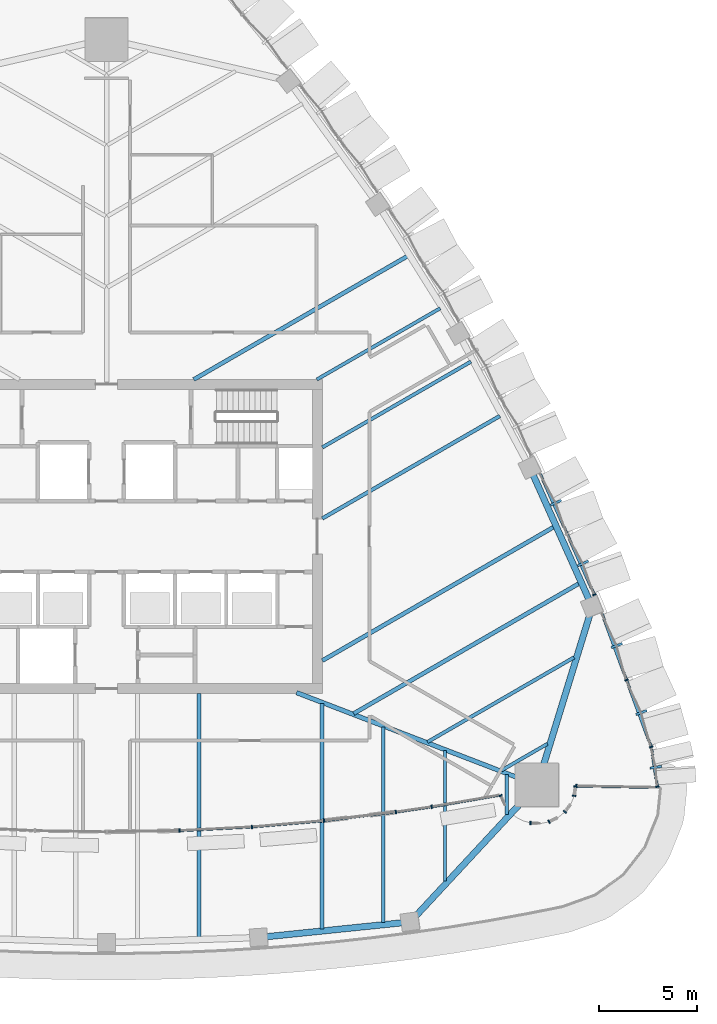
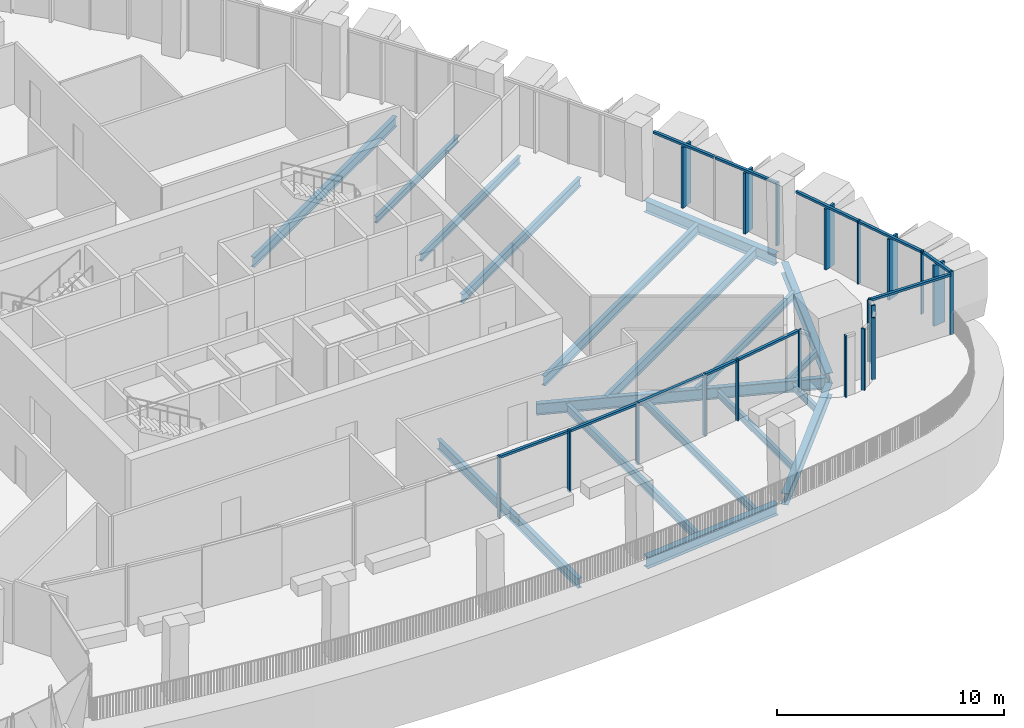
# One storey, part 5 of 22: 32 members, 18 beams, 14 elements without a shape of their own.
"""IFC4 building model written with IfcOpenShell, lengths in metres."""

from ifc_helpers import new_model, si_unit, direction, frame, origin, origin_2d, place, context, subcontext, project, spatial, rectangle, i_section, extrude, material, layer, layer_set, material_profile, profile_set, type_object, element, aggregate, save


model = new_model("IFC4")

# Units and contexts
model_context = context("Model", 3, precision=1e-05, world=origin(), true_north=direction((0.0, 1.0)))
body_context = subcontext(model_context, "Body", "Model", "MODEL_VIEW")
ifc_project = project(units=[si_unit("LENGTHUNIT", "METRE"), si_unit("AREAUNIT", "SQUARE_METRE"), si_unit("VOLUMEUNIT", "CUBIC_METRE"), si_unit("PLANEANGLEUNIT", "RADIAN"), si_unit("MASSUNIT", "GRAM", prefix="KILO")], contexts=[model_context])

# Site, building, storey
site_placement = place(None, origin())
site = spatial("IfcSite", under=ifc_project, at=site_placement, CompositionType="ELEMENT")
building_placement = place(site_placement, origin())
building = spatial("IfcBuilding", under=site, at=building_placement, Name="Sierra Prisma Convention Tower", CompositionType="ELEMENT")
storey_placement = place(building_placement, frame((0.0, 0.0, 243.0)))
storey = spatial("IfcBuildingStorey", under=building, at=storey_placement, Name="L54", CompositionType="ELEMENT", Elevation=243.0)

# Curtain wall, member
ifc_material_1 = material(Name="Aluminium and glass curtain wall", Category="aluminium")
ifc_layer_1 = layer(ifc_material_1, 0.179931640625)
ifc_layer_set_1 = layer_set([ifc_layer_1], Name="CW-2 Faceted crystal curtain wall")
curtain_wall_type_1 = type_object("IfcCurtainWallType", Name="CW-2 Faceted crystal curtain wall", PredefinedType="NOTDEFINED", material=ifc_layer_set_1)
curtain_wall_1_placement = place(storey_placement, origin())
curtain_wall_1 = element("IfcCurtainWall", 1, at=curtain_wall_1_placement, inside=storey, type_object=curtain_wall_type_1, Name="CW-2 SE5 L54", PredefinedType="NOTDEFINED")
ifc_material_2 = material(Name="Aluminium 6063-T6 bronze anodised", Category="aluminium")
ifc_material_profile_1 = material_profile(ifc_material_2, rectangle(XDim=0.1201171875, YDim=0.60009765625, at=origin_2d()), Name="ALU RIDGE BLADE 120x600")
ifc_profile_set_1 = profile_set([ifc_material_profile_1], Name="Aluminium 6063-T6 bronze anodised")
member_type_1 = type_object("IfcMemberType", Name="CW hip bronze", PredefinedType="MULLION", material=ifc_profile_set_1)
member_1_placement = place(storey_placement, frame((27.998779296875, -11.762451171875, 0.0), z_axis=(0.0, 0.0, 1.0), x_axis=(-0.14970545889, 0.988730638535, 0.0)))
member_1 = element("IfcMember", 2, at=member_1_placement, type_object=member_type_1, Name="CW-2 ridge SE5.1", PredefinedType="MULLION", context=body_context, shape_type="SweptSolid", body=[
    extrude(rectangle(XDim=0.1201171875, YDim=0.60009765625, at=origin_2d()), origin(), (0.0, 0.0, 1.0), 3.280029296875),
])

# Curtain wall, members
curtain_wall_2_placement = place(storey_placement, origin())
curtain_wall_2 = element("IfcCurtainWall", 3, at=curtain_wall_2_placement, inside=storey, type_object=curtain_wall_type_1, Name="CW-2 NE1 L54", PredefinedType="NOTDEFINED")
member_2_placement = place(storey_placement, frame((27.262451171875, -8.972900390625, 0.0), z_axis=(0.0, 0.0, 1.0), x_axis=(-0.345602876726, 0.938380867025, 0.0)))
member_2 = element("IfcMember", 4, at=member_2_placement, type_object=member_type_1, Name="CW-2 ridge NE1.1", PredefinedType="MULLION", context=body_context, shape_type="SweptSolid", body=[
    extrude(rectangle(XDim=0.1201171875, YDim=0.60009765625, at=origin_2d()), origin(), (0.0, 0.0, 1.0), 3.280029296875),
])
member_3_placement = place(storey_placement, frame((26.006591796875, -5.563232421875, 0.0), z_axis=(0.0, 0.0, 1.0), x_axis=(-0.345602876726, 0.938380867025, 0.0)))
member_3 = element("IfcMember", 5, at=member_3_placement, type_object=member_type_1, Name="CW-2 ridge NE1.2", PredefinedType="MULLION", context=body_context, shape_type="SweptSolid", body=[
    extrude(rectangle(XDim=0.1201171875, YDim=0.60009765625, at=origin_2d()), origin(), (0.0, 0.0, 1.0), 3.280029296875),
])

curtain_wall_3_placement = place(storey_placement, origin())
curtain_wall_3 = element("IfcCurtainWall", 6, at=curtain_wall_3_placement, inside=storey, type_object=curtain_wall_type_1, Name="CW-2 NE2 L54", PredefinedType="NOTDEFINED")
member_4_placement = place(storey_placement, frame((24.2900390625, -1.370361328125, 0.0), z_axis=(0.0, 0.0, 1.0), x_axis=(-0.408826858445, 0.912611965632, 0.0)))
member_4 = element("IfcMember", 7, at=member_4_placement, type_object=member_type_1, Name="CW-2 ridge NE2.1", PredefinedType="MULLION", context=body_context, shape_type="SweptSolid", body=[
    extrude(rectangle(XDim=0.1201171875, YDim=0.60009765625, at=origin_2d()), origin(), (0.0, 0.0, 1.0), 3.280029296875),
])
member_5_placement = place(storey_placement, frame((22.905517578125, 1.720458984375, 0.0), z_axis=(0.0, 0.0, 1.0), x_axis=(-0.408826858445, 0.912611965632, 0.0)))
member_5 = element("IfcMember", 8, at=member_5_placement, type_object=member_type_1, Name="CW-2 ridge NE2.2", PredefinedType="MULLION", context=body_context, shape_type="SweptSolid", body=[
    extrude(rectangle(XDim=0.1201171875, YDim=0.60009765625, at=origin_2d()), origin(), (0.0, 0.0, 1.0), 3.280029296875),
])

# Member
ifc_material_3 = material(Name="Aluminium 6063-T6 bronze anodised", Category="aluminium")
ifc_material_profile_2 = material_profile(ifc_material_3, rectangle(XDim=0.179931640625, YDim=0.070068359375, at=origin_2d()), Name="ALU MULLION 70x180")
ifc_profile_set_2 = profile_set([ifc_material_profile_2], Name="Aluminium 6063-T6 bronze anodised")
member_type_2 = type_object("IfcMemberType", Name="CW mullion bronze", PredefinedType="MULLION", material=ifc_profile_set_2)
member_6_placement = place(storey_placement, frame((28.07275390625, -12.754150390625, 0.0), z_axis=(0.0, 0.0, 1.0), x_axis=(-0.988730638535, -0.14970545889, 0.0)))
member_6 = element("IfcMember", 9, at=member_6_placement, type_object=member_type_2, Name="CW-1 mullion SE5.1", PredefinedType="MULLION", context=body_context, shape_type="SweptSolid", body=[
    extrude(rectangle(XDim=0.179931640625, YDim=0.070068359375, at=origin_2d()), origin(), (0.0, 0.0, 1.0), 3.39990234375),
])

member_7_placement = place(storey_placement, frame((27.758544921875, -10.72607421875, 0.0), z_axis=(0.0, 0.0, 1.0), x_axis=(-0.938380867025, -0.345602876726, 0.0)))
member_7 = element("IfcMember", 10, at=member_7_placement, type_object=member_type_2, Name="CW-1 mullion NE1.1", PredefinedType="MULLION", context=body_context, shape_type="SweptSolid", body=[
    extrude(rectangle(XDim=0.179931640625, YDim=0.070068359375, at=origin_2d()), origin(), (0.0, 0.0, 1.0), 3.39990234375),
])

member_8_placement = place(storey_placement, frame((26.5029296875, -7.31640625, 0.0), z_axis=(0.0, 0.0, 1.0), x_axis=(-0.938380867025, -0.345602876726, 0.0)))
member_8 = element("IfcMember", 11, at=member_8_placement, type_object=member_type_2, Name="CW-1 mullion NE1.2", PredefinedType="MULLION", context=body_context, shape_type="SweptSolid", body=[
    extrude(rectangle(XDim=0.179931640625, YDim=0.070068359375, at=origin_2d()), origin(), (0.0, 0.0, 1.0), 3.39990234375),
])

member_9_placement = place(storey_placement, frame((24.86328125, -2.968994140625, 0.0), z_axis=(0.0, 0.0, 1.0), x_axis=(-0.912611965632, -0.408826858445, 0.0)))
member_9 = element("IfcMember", 12, at=member_9_placement, type_object=member_type_2, Name="CW-1 mullion NE2.1", PredefinedType="MULLION", context=body_context, shape_type="SweptSolid", body=[
    extrude(rectangle(XDim=0.179931640625, YDim=0.070068359375, at=origin_2d()), origin(), (0.0, 0.0, 1.0), 3.39990234375),
])

# Curtain wall, member
ifc_material_4 = material(Name="Aluminium and glass curtain wall", Category="aluminium")
ifc_layer_2 = layer(ifc_material_4, 0.179931640625)
ifc_layer_set_2 = layer_set([ifc_layer_2], Name="CW-6 Terrace recess curtain wall")
curtain_wall_type_2 = type_object("IfcCurtainWallType", Name="CW-6 Terrace recess curtain wall", PredefinedType="NOTDEFINED", material=ifc_layer_set_2)
curtain_wall_4_placement = place(storey_placement, origin())
curtain_wall_4 = element("IfcCurtainWall", 13, at=curtain_wall_4_placement, inside=storey, type_object=curtain_wall_type_2, Name="CW-6 R7 L54", PredefinedType="NOTDEFINED")
member_10_placement = place(storey_placement, frame((3.7236328125, -14.99072265625, 0.0), z_axis=(0.0, 0.0, 1.0), x_axis=(-0.051192893759, 0.998688784171, 0.0)))
member_10 = element("IfcMember", 14, at=member_10_placement, type_object=member_type_2, Name="CW-6 mullion R7.1", PredefinedType="MULLION", context=body_context, shape_type="SweptSolid", body=[
    extrude(rectangle(XDim=0.179931640625, YDim=0.070068359375, at=origin_2d()), origin(), (0.0, 0.0, 1.0), 3.340087890625),
])

curtain_wall_5_placement = place(storey_placement, origin())
curtain_wall_5 = element("IfcCurtainWall", 15, at=curtain_wall_5_placement, inside=storey, type_object=curtain_wall_type_2, Name="CW-6 R8 L54", PredefinedType="NOTDEFINED")
member_11_placement = place(storey_placement, frame((7.407958984375, -14.800537109375, 0.0), z_axis=(0.0, 0.0, 1.0), x_axis=(-0.08525518274, 0.99635914901, 0.0)))
member_11 = element("IfcMember", 16, at=member_11_placement, type_object=member_type_2, Name="CW-6 mullion R8.1", PredefinedType="MULLION", context=body_context, shape_type="SweptSolid", body=[
    extrude(rectangle(XDim=0.179931640625, YDim=0.070068359375, at=origin_2d()), origin(), (0.0, 0.0, 1.0), 3.340087890625),
])

curtain_wall_6_placement = place(storey_placement, origin())
curtain_wall_6 = element("IfcCurtainWall", 17, at=curtain_wall_6_placement, inside=storey, type_object=curtain_wall_type_2, Name="CW-6 R9 L54", PredefinedType="NOTDEFINED")
member_12_placement = place(storey_placement, frame((11.083740234375, -14.48486328125, 0.0), z_axis=(0.0, 0.0, 1.0), x_axis=(-0.119218092591, 0.992868091138, 0.0)))
member_12 = element("IfcMember", 18, at=member_12_placement, type_object=member_type_2, Name="CW-6 mullion R9.1", PredefinedType="MULLION", context=body_context, shape_type="SweptSolid", body=[
    extrude(rectangle(XDim=0.179931640625, YDim=0.070068359375, at=origin_2d()), origin(), (0.0, 0.0, 1.0), 3.340087890625),
])

curtain_wall_7_placement = place(storey_placement, origin())
curtain_wall_7 = element("IfcCurtainWall", 19, at=curtain_wall_7_placement, inside=storey, type_object=curtain_wall_type_2, Name="CW-6 R10 L54", PredefinedType="NOTDEFINED")
member_13_placement = place(storey_placement, frame((14.74658203125, -14.044189453125, 0.0), z_axis=(0.0, 0.0, 1.0), x_axis=(-0.144601236248, 0.989490011307, 0.0)))
member_13 = element("IfcMember", 20, at=member_13_placement, type_object=member_type_2, Name="CW-6 mullion R10.1", PredefinedType="MULLION", context=body_context, shape_type="SweptSolid", body=[
    extrude(rectangle(XDim=0.179931640625, YDim=0.070068359375, at=origin_2d()), origin(), (0.0, 0.0, 1.0), 3.340087890625),
])

curtain_wall_8_placement = place(storey_placement, origin())
curtain_wall_8 = element("IfcCurtainWall", 21, at=curtain_wall_8_placement, inside=storey, type_object=curtain_wall_type_2, Name="CW-6 R11 L54", PredefinedType="NOTDEFINED")
member_14_placement = place(storey_placement, frame((16.57177734375, -13.776611328125, 0.0), z_axis=(0.0, 0.0, 1.0), x_axis=(-0.169640466325, 0.98550601834, 0.0)))
member_14 = element("IfcMember", 22, at=member_14_placement, type_object=member_type_2, Name="CW-6 mullion R11.1", PredefinedType="MULLION", context=body_context, shape_type="SweptSolid", body=[
    extrude(rectangle(XDim=0.179931640625, YDim=0.070068359375, at=origin_2d()), origin(), (0.0, 0.0, 1.0), 3.340087890625),
])

curtain_wall_9_placement = place(storey_placement, origin())
curtain_wall_9 = element("IfcCurtainWall", 23, at=curtain_wall_9_placement, inside=storey, type_object=curtain_wall_type_2, Name="CW-6 R12 L54", PredefinedType="NOTDEFINED")
member_15_placement = place(storey_placement, frame((20.0830078125, -13.20654296875, 0.0), z_axis=(0.0, 0.0, 1.0), x_axis=(0.913138288958, 0.407649929766, 0.0)))
member_15 = element("IfcMember", 24, at=member_15_placement, type_object=member_type_2, Name="CW-6 mullion R12.1", PredefinedType="MULLION", context=body_context, shape_type="SweptSolid", body=[
    extrude(rectangle(XDim=0.179931640625, YDim=0.070068359375, at=origin_2d()), origin(), (0.0, 0.0, 1.0), 3.340087890625),
])
aggregate(curtain_wall_9, [member_15])

curtain_wall_10_placement = place(storey_placement, origin())
curtain_wall_10 = element("IfcCurtainWall", 25, at=curtain_wall_10_placement, inside=storey, type_object=curtain_wall_type_2, Name="CW-6 R17 L54", PredefinedType="NOTDEFINED")
member_16_placement = place(storey_placement, frame((21.611083984375, -14.596923828125, 0.0), z_axis=(0.0, 0.0, 1.0), x_axis=(0.049067674327, 0.998795456205, 0.0)))
member_16 = element("IfcMember", 26, at=member_16_placement, type_object=member_type_2, Name="CW-6 mullion R17.1", PredefinedType="MULLION", context=body_context, shape_type="SweptSolid", body=[
    extrude(rectangle(XDim=0.179931640625, YDim=0.070068359375, at=origin_2d()), origin(), (0.0, 0.0, 1.0), 3.340087890625),
])
aggregate(curtain_wall_10, [member_16])

curtain_wall_11_placement = place(storey_placement, origin())
curtain_wall_11 = element("IfcCurtainWall", 27, at=curtain_wall_11_placement, inside=storey, type_object=curtain_wall_type_2, Name="CW-6 R19 L54", PredefinedType="NOTDEFINED")
member_17_placement = place(storey_placement, frame((22.556884765625, -14.53369140625, 0.0), z_axis=(0.0, 0.0, 1.0), x_axis=(-0.42755509343, 0.903989293123, 0.0)))
member_17 = element("IfcMember", 28, at=member_17_placement, type_object=member_type_2, Name="CW-6 mullion R19.1", PredefinedType="MULLION", context=body_context, shape_type="SweptSolid", body=[
    extrude(rectangle(XDim=0.179931640625, YDim=0.070068359375, at=origin_2d()), origin(), (0.0, 0.0, 1.0), 3.340087890625),
])
aggregate(curtain_wall_11, [member_17])

curtain_wall_12_placement = place(storey_placement, origin())
curtain_wall_12 = element("IfcCurtainWall", 29, at=curtain_wall_12_placement, inside=storey, type_object=curtain_wall_type_2, Name="CW-6 R21 L54", PredefinedType="NOTDEFINED")
member_18_placement = place(storey_placement, frame((23.361328125, -14.031982421875, 0.0), z_axis=(0.0, 0.0, 1.0), x_axis=(-0.803207531481, 0.595699304492, 0.0)))
member_18 = element("IfcMember", 30, at=member_18_placement, type_object=member_type_2, Name="CW-6 mullion R21.1", PredefinedType="MULLION", context=body_context, shape_type="SweptSolid", body=[
    extrude(rectangle(XDim=0.179931640625, YDim=0.070068359375, at=origin_2d()), origin(), (0.0, 0.0, 1.0), 3.340087890625),
])
aggregate(curtain_wall_12, [member_18])

# Curtain wall, members
curtain_wall_13_placement = place(storey_placement, origin())
curtain_wall_13 = element("IfcCurtainWall", 31, at=curtain_wall_13_placement, inside=storey, type_object=curtain_wall_type_2, Name="CW-6 R23 L54", PredefinedType="NOTDEFINED")
member_19_placement = place(storey_placement, frame((23.834228515625, -13.210205078125, 0.0), z_axis=(0.0, 0.0, 1.0), x_axis=(-0.989176509965, 0.146730474455, 0.0)))
member_19 = element("IfcMember", 32, at=member_19_placement, type_object=member_type_2, Name="CW-6 mullion R23.1", PredefinedType="MULLION", context=body_context, shape_type="SweptSolid", body=[
    extrude(rectangle(XDim=0.179931640625, YDim=0.070068359375, at=origin_2d()), origin(), (0.0, 0.0, 1.0), 3.340087890625),
])
member_20_placement = place(storey_placement, frame((23.90283203125, -12.747314453125, 0.0), z_axis=(0.0, 0.0, 1.0), x_axis=(-0.989176509965, 0.146730474455, 0.0)))
member_20 = element("IfcMember", 33, at=member_20_placement, type_object=member_type_2, Name="CW-6 mullion R23.2", PredefinedType="MULLION", context=body_context, shape_type="SweptSolid", body=[
    extrude(rectangle(XDim=0.179931640625, YDim=0.070068359375, at=origin_2d()), origin(), (0.0, 0.0, 1.0), 3.340087890625),
])
aggregate(curtain_wall_13, [member_19, member_20])

# Curtain wall, member
curtain_wall_14_placement = place(storey_placement, origin())
curtain_wall_14 = element("IfcCurtainWall", 34, at=curtain_wall_14_placement, inside=storey, type_object=curtain_wall_type_2, Name="CW-6 RT2 L54", PredefinedType="NOTDEFINED")
member_21_placement = place(storey_placement, frame((23.943115234375, -12.71337890625, 0.0), z_axis=(0.0, 0.0, 1.0), x_axis=(0.018195913791, 0.999834440656, 0.0)))
member_21 = element("IfcMember", 35, at=member_21_placement, type_object=member_type_2, Name="CW-6 mullion RT2.1", PredefinedType="MULLION", context=body_context, shape_type="SweptSolid", body=[
    extrude(rectangle(XDim=0.179931640625, YDim=0.070068359375, at=origin_2d()), origin(), (0.0, 0.0, 1.0), 3.340087890625),
])

# Member
ifc_material_5 = material(Name="Aluminium 6063-T6 bronze anodised", Category="aluminium")
ifc_material_profile_3 = material_profile(ifc_material_5, rectangle(XDim=0.139892578125, YDim=0.1201171875, at=origin_2d()), Name="ALU TRANSOM 120x140")
ifc_profile_set_3 = profile_set([ifc_material_profile_3], Name="Aluminium 6063-T6 bronze anodised")
member_type_3 = type_object("IfcMemberType", Name="CW transom bronze", PredefinedType="USERDEFINED", material=ifc_profile_set_3)
member_22_placement = place(storey_placement, frame((28.067626953125, -12.719482421875, 3.340087890625), z_axis=(-0.149707080293, 0.988730393035, 0.0), x_axis=(-0.988730393035, -0.149707080293, 0.0)))
member_22 = element("IfcMember", 36, at=member_22_placement, type_object=member_type_3, Name="CW-1 transom SE5.1", ObjectType="TRANSOM", PredefinedType="USERDEFINED", context=body_context, shape_type="SweptSolid", body=[
    extrude(rectangle(XDim=0.139892578125, YDim=0.1201171875, at=origin_2d()), origin(), (0.0, 0.0, 1.0), 1.912841796875),
])

aggregate(curtain_wall_1, [member_6, member_22, member_1])

member_23_placement = place(storey_placement, frame((27.74658203125, -10.693359375, 3.340087890625), z_axis=(-0.345629162035, 0.938371185806, 0.0), x_axis=(-0.938371185806, -0.345629162035, 0.0)))
member_23 = element("IfcMember", 37, at=member_23_placement, type_object=member_type_3, Name="CW-1 transom NE1.1", ObjectType="TRANSOM", PredefinedType="USERDEFINED", context=body_context, shape_type="SweptSolid", body=[
    extrude(rectangle(XDim=0.139892578125, YDim=0.1201171875, at=origin_2d()), origin(), (0.0, 0.0, 1.0), 3.563720703125),
])

member_24_placement = place(storey_placement, frame((26.49072265625, -7.28369140625, 3.340087890625), z_axis=(-0.345568834725, 0.938393403891, 0.0), x_axis=(-0.938393403891, -0.345568834725, 0.0)))
member_24 = element("IfcMember", 38, at=member_24_placement, type_object=member_type_3, Name="CW-1 transom NE1.2", ObjectType="TRANSOM", PredefinedType="USERDEFINED", context=body_context, shape_type="SweptSolid", body=[
    extrude(rectangle(XDim=0.139892578125, YDim=0.1201171875, at=origin_2d()), origin(), (0.0, 0.0, 1.0), 3.5634765625),
])

aggregate(curtain_wall_2, [member_7, member_8, member_23, member_2, member_24, member_3])

member_25_placement = place(storey_placement, frame((24.848876953125, -2.93701171875, 3.340087890625), z_axis=(-0.408827628704, 0.912611620575, 0.0), x_axis=(-0.912611620575, -0.408827628704, 0.0)))
member_25 = element("IfcMember", 39, at=member_25_placement, type_object=member_type_3, Name="CW-1 transom NE2.1", ObjectType="TRANSOM", PredefinedType="USERDEFINED", context=body_context, shape_type="SweptSolid", body=[
    extrude(rectangle(XDim=0.139892578125, YDim=0.1201171875, at=origin_2d()), origin(), (0.0, 0.0, 1.0), 3.316650390625),
])

member_26_placement = place(storey_placement, frame((23.46435546875, 0.153564453125, 3.340087890625), z_axis=(-0.408827628704, 0.912611620575, 0.0), x_axis=(-0.912611620575, -0.408827628704, 0.0)))
member_26 = element("IfcMember", 40, at=member_26_placement, type_object=member_type_3, Name="CW-1 transom NE2.2", ObjectType="TRANSOM", PredefinedType="USERDEFINED", context=body_context, shape_type="SweptSolid", body=[
    extrude(rectangle(XDim=0.139892578125, YDim=0.1201171875, at=origin_2d()), origin(), (0.0, 0.0, 1.0), 3.316650390625),
])

aggregate(curtain_wall_3, [member_9, member_25, member_4, member_26, member_5])

member_27_placement = place(storey_placement, frame((3.758544921875, -14.989013671875, 3.280029296875), z_axis=(0.998686129467, 0.051244656412, 0.0), x_axis=(-0.051244656412, 0.998686129467, 0.0)))
member_27 = element("IfcMember", 41, at=member_27_placement, type_object=member_type_3, Name="CW-6 transom R7.1", ObjectType="TRANSOM", PredefinedType="USERDEFINED", context=body_context, shape_type="SweptSolid", body=[
    extrude(rectangle(XDim=0.139892578125, YDim=0.1201171875, at=origin_2d()), origin(), (0.0, 0.0, 1.0), 3.54931640625),
])

aggregate(curtain_wall_4, [member_10, member_27])

member_28_placement = place(storey_placement, frame((7.44287109375, -14.797607421875, 3.280029296875), z_axis=(0.996361683938, 0.085225552392, 0.0), x_axis=(-0.085225552392, 0.996361683938, 0.0)))
member_28 = element("IfcMember", 42, at=member_28_placement, type_object=member_type_3, Name="CW-6 transom R8.1", ObjectType="TRANSOM", PredefinedType="USERDEFINED", context=body_context, shape_type="SweptSolid", body=[
    extrude(rectangle(XDim=0.139892578125, YDim=0.1201171875, at=origin_2d()), origin(), (0.0, 0.0, 1.0), 3.54931640625),
])

aggregate(curtain_wall_5, [member_11, member_28])

member_29_placement = place(storey_placement, frame((11.11865234375, -14.480712890625, 3.280029296875), z_axis=(0.992869350261, 0.119207605931, 0.0), x_axis=(-0.119207605931, 0.992869350261, 0.0)))
member_29 = element("IfcMember", 43, at=member_29_placement, type_object=member_type_3, Name="CW-6 transom R9.1", ObjectType="TRANSOM", PredefinedType="USERDEFINED", context=body_context, shape_type="SweptSolid", body=[
    extrude(rectangle(XDim=0.139892578125, YDim=0.1201171875, at=origin_2d()), origin(), (0.0, 0.0, 1.0), 3.54931640625),
])

aggregate(curtain_wall_6, [member_12, member_29])

member_30_placement = place(storey_placement, frame((14.78125, -14.0390625, 3.280029296875), z_axis=(0.98950356188, 0.144508480813, 0.0), x_axis=(-0.144508480813, 0.98950356188, 0.0)))
member_30 = element("IfcMember", 44, at=member_30_placement, type_object=member_type_3, Name="CW-6 transom R10.1", ObjectType="TRANSOM", PredefinedType="USERDEFINED", context=body_context, shape_type="SweptSolid", body=[
    extrude(rectangle(XDim=0.139892578125, YDim=0.1201171875, at=origin_2d()), origin(), (0.0, 0.0, 1.0), 1.70458984375),
])

aggregate(curtain_wall_7, [member_13, member_30])

member_31_placement = place(storey_placement, frame((16.6064453125, -13.770751953125, 3.280029296875), z_axis=(0.985500207388, 0.169674220899, 0.0), x_axis=(-0.169674220899, 0.985500207388, 0.0)))
member_31 = element("IfcMember", 45, at=member_31_placement, type_object=member_type_3, Name="CW-6 transom R11.1", ObjectType="TRANSOM", PredefinedType="USERDEFINED", context=body_context, shape_type="SweptSolid", body=[
    extrude(rectangle(XDim=0.139892578125, YDim=0.1201171875, at=origin_2d()), origin(), (0.0, 0.0, 1.0), 3.443115234375),
])

aggregate(curtain_wall_8, [member_14, member_31])

member_32_placement = place(storey_placement, frame((23.97802734375, -12.714111328125, 3.280029296875), z_axis=(0.9998348918, -0.01817110726, 0.0), x_axis=(0.01817110726, 0.9998348918, 0.0)))
member_32 = element("IfcMember", 46, at=member_32_placement, type_object=member_type_3, Name="CW-6 transom RT2.1", ObjectType="TRANSOM", PredefinedType="USERDEFINED", context=body_context, shape_type="SweptSolid", body=[
    extrude(rectangle(XDim=0.139892578125, YDim=0.1201171875, at=origin_2d()), origin(), (0.0, 0.0, 1.0), 4.03076171875),
])

aggregate(curtain_wall_14, [member_21, member_32])

# Beams
ifc_material_6 = material(Name="Steel ASTM A992 Gr 50", Category="steel")
ifc_material_profile_4 = material_profile(ifc_material_6, i_section(OverallWidth=0.172119140625, OverallDepth=0.35791015625, WebThickness=0.0078125, FlangeThickness=0.01318359375, at=origin_2d()), Name="W360x57")
ifc_profile_set_4 = profile_set([ifc_material_profile_4], Name="Steel ASTM A992 Gr 50")
beam_type_1 = type_object("IfcBeamType", Name="Floor joist W360x57", PredefinedType="JOIST", material=ifc_profile_set_4)
beam_1_placement = place(storey_placement, frame((17.25244140625, -17.55224609375, -0.47900390625), z_axis=(0.0, 1.0, 0.0), x_axis=(-1.0, 0.0, 0.0)))
element("IfcBeam", 47, at=beam_1_placement, inside=storey, type_object=beam_type_1, Name="Floor joist L54 S13", PredefinedType="JOIST", context=body_context, shape_type="SweptSolid", body=[
    extrude(i_section(OverallWidth=0.172119140625, OverallDepth=0.35791015625, WebThickness=0.0078125, FlangeThickness=0.01318359375, at=origin_2d()), origin(), (0.0, 0.0, 1.0), 6.635986328125),
])
beam_2_placement = place(storey_placement, frame((20.38916015625, -14.176513671875, -0.47900390625), z_axis=(0.0, 1.0, 0.0), x_axis=(-1.0, 0.0, 0.0)))
element("IfcBeam", 48, at=beam_2_placement, inside=storey, type_object=beam_type_1, Name="Floor joist L54 S14", PredefinedType="JOIST", context=body_context, shape_type="SweptSolid", body=[
    extrude(i_section(OverallWidth=0.172119140625, OverallDepth=0.35791015625, WebThickness=0.0078125, FlangeThickness=0.01318359375, at=origin_2d()), origin(), (0.0, 0.0, 1.0), 2.053466796875),
])
beam_3_placement = place(storey_placement, frame((22.4716796875, -10.5693359375, -0.3291015625), z_axis=(-0.865987406614, -0.500065807255, 0.0), x_axis=(0.500065807255, -0.865987406614, 0.0)))
element("IfcBeam", 49, at=beam_3_placement, inside=storey, type_object=beam_type_1, Name="Floor joist L54 NE01", PredefinedType="JOIST", context=body_context, shape_type="SweptSolid", body=[
    extrude(i_section(OverallWidth=0.172119140625, OverallDepth=0.35791015625, WebThickness=0.0078125, FlangeThickness=0.01318359375, at=origin_2d()), origin(), (0.0, 0.0, 1.0), 2.708251953125),
])
beam_4_placement = place(storey_placement, frame((17.003662109375, 11.628173828125, -0.3291015625), z_axis=(-0.866025344474, -0.500000102728, 0.0), x_axis=(0.500000102728, -0.866025344474, 0.0)))
element("IfcBeam", 50, at=beam_4_placement, inside=storey, type_object=beam_type_1, Name="Floor joist L54 NE08", PredefinedType="JOIST", context=body_context, shape_type="SweptSolid", body=[
    extrude(i_section(OverallWidth=0.172119140625, OverallDepth=0.35791015625, WebThickness=0.0078125, FlangeThickness=0.01318359375, at=origin_2d()), origin(), (0.0, 0.0, 1.0), 7.25634765625),
])
ifc_material_7 = material(Name="Steel ASTM A992 Gr 50", Category="steel")
ifc_material_profile_5 = material_profile(ifc_material_7, i_section(OverallWidth=0.177978515625, OverallDepth=0.406982421875, WebThickness=0.0078125, FlangeThickness=0.0126953125, at=origin_2d()), Name="W410x60")
ifc_profile_set_5 = profile_set([ifc_material_profile_5], Name="Steel ASTM A992 Gr 50")
beam_type_2 = type_object("IfcBeamType", Name="Floor joist W410x60", PredefinedType="JOIST", material=ifc_profile_set_5)
beam_5_placement = place(storey_placement, frame((14.11572265625, -19.673828125, -0.50341796875), z_axis=(0.0, 1.0, 0.0), x_axis=(-1.0, 0.0, 0.0)))
element("IfcBeam", 51, at=beam_5_placement, inside=storey, type_object=beam_type_2, Name="Floor joist L54 S12", PredefinedType="JOIST", context=body_context, shape_type="SweptSolid", body=[
    extrude(i_section(OverallWidth=0.177978515625, OverallDepth=0.406982421875, WebThickness=0.0078125, FlangeThickness=0.0126953125, at=origin_2d()), origin(), (0.0, 0.0, 1.0), 9.96435546875),
])
beam_6_placement = place(storey_placement, frame((23.826904296875, -6.1650390625, -0.353515625), z_axis=(-0.866028059259, -0.499995400555, 0.0), x_axis=(0.499995400555, -0.866028059259, 0.0)))
element("IfcBeam", 52, at=beam_6_placement, inside=storey, type_object=beam_type_2, Name="Floor joist L54 NE02", PredefinedType="JOIST", context=body_context, shape_type="SweptSolid", body=[
    extrude(i_section(OverallWidth=0.177978515625, OverallDepth=0.406982421875, WebThickness=0.0078125, FlangeThickness=0.0126953125, at=origin_2d()), origin(), (0.0, 0.0, 1.0), 8.6201171875),
])
beam_7_placement = place(storey_placement, frame((18.572021484375, 8.91162109375, -0.353515625), z_axis=(-0.866019583181, -0.500010081445, 0.0), x_axis=(0.500010081445, -0.866019583181, 0.0)))
element("IfcBeam", 53, at=beam_7_placement, inside=storey, type_object=beam_type_2, Name="Floor joist L54 NE07", PredefinedType="JOIST", context=body_context, shape_type="SweptSolid", body=[
    extrude(i_section(OverallWidth=0.177978515625, OverallDepth=0.406982421875, WebThickness=0.0078125, FlangeThickness=0.0126953125, at=origin_2d()), origin(), (0.0, 0.0, 1.0), 8.743408203125),
])
ifc_material_8 = material(Name="Steel ASTM A992 Gr 50", Category="steel")
ifc_material_profile_6 = material_profile(ifc_material_8, i_section(OverallWidth=0.18994140625, OverallDepth=0.45703125, WebThickness=0.009033203125, FlangeThickness=0.014404296875, at=origin_2d()), Name="W460x74")
ifc_profile_set_6 = profile_set([ifc_material_profile_6], Name="Steel ASTM A992 Gr 50")
beam_type_3 = type_object("IfcBeamType", Name="Floor joist W460x74", PredefinedType="JOIST", material=ifc_profile_set_6)
beam_8_placement = place(storey_placement, frame((10.978759765625, -19.996337890625, -0.528564453125), z_axis=(0.0, 1.0, 0.0), x_axis=(-1.0, 0.0, 0.0)))
element("IfcBeam", 54, at=beam_8_placement, inside=storey, type_object=beam_type_3, Name="Floor joist L54 S11", PredefinedType="JOIST", context=body_context, shape_type="SweptSolid", body=[
    extrude(i_section(OverallWidth=0.18994140625, OverallDepth=0.45703125, WebThickness=0.009033203125, FlangeThickness=0.014404296875, at=origin_2d()), origin(), (0.0, 0.0, 1.0), 11.49365234375),
])
beam_9_placement = place(storey_placement, frame((20.047607421875, 6.141357421875, -0.37841796875), z_axis=(-0.866025642855, -0.499999585918, 0.0), x_axis=(0.499999585918, -0.866025642855, 0.0)))
element("IfcBeam", 55, at=beam_9_placement, inside=storey, type_object=beam_type_3, Name="Floor joist L54 NE06", PredefinedType="JOIST", context=body_context, shape_type="SweptSolid", body=[
    extrude(i_section(OverallWidth=0.18994140625, OverallDepth=0.45703125, WebThickness=0.009033203125, FlangeThickness=0.014404296875, at=origin_2d()), origin(), (0.0, 0.0, 1.0), 10.447265625),
])
ifc_material_9 = material(Name="Steel ASTM A992 Gr 50", Category="steel")
ifc_material_profile_7 = material_profile(ifc_material_9, i_section(OverallWidth=0.208984375, OverallDepth=0.532958984375, WebThickness=0.01025390625, FlangeThickness=0.015625, at=origin_2d()), Name="W530x92")
ifc_profile_set_7 = profile_set([ifc_material_profile_7], Name="Steel ASTM A992 Gr 50")
beam_type_4 = type_object("IfcBeamType", Name="Floor joist W530x92", PredefinedType="JOIST", material=ifc_profile_set_7)
beam_10_placement = place(storey_placement, frame((4.705322265625, -20.432373046875, -0.56640625), z_axis=(0.0, 1.0, 0.0), x_axis=(-1.0, 0.0, 0.0)))
element("IfcBeam", 56, at=beam_10_placement, inside=storey, type_object=beam_type_4, Name="Floor joist L54 S09", PredefinedType="JOIST", context=body_context, shape_type="SweptSolid", body=[
    extrude(i_section(OverallWidth=0.208984375, OverallDepth=0.532958984375, WebThickness=0.01025390625, FlangeThickness=0.015625, at=origin_2d()), origin(), (0.0, 0.0, 1.0), 12.432373046875),
])
beam_11_placement = place(storey_placement, frame((24.095947265625, -2.387451171875, -0.41650390625), z_axis=(-0.866023612651, -0.500003102321, 0.0), x_axis=(0.500003102321, -0.866023612651, 0.0)))
element("IfcBeam", 57, at=beam_11_placement, inside=storey, type_object=beam_type_4, Name="Floor joist L54 NE03", PredefinedType="JOIST", context=body_context, shape_type="SweptSolid", body=[
    extrude(i_section(OverallWidth=0.208984375, OverallDepth=0.532958984375, WebThickness=0.01025390625, FlangeThickness=0.015625, at=origin_2d()), origin(), (0.0, 0.0, 1.0), 13.2783203125),
])
beam_12_placement = place(storey_placement, frame((22.806640625, 0.490234375, -0.41650390625), z_axis=(-0.866022759689, -0.500004579679, 0.0), x_axis=(0.500004579679, -0.866022759689, 0.0)))
element("IfcBeam", 58, at=beam_12_placement, inside=storey, type_object=beam_type_4, Name="Floor joist L54 NE04", PredefinedType="JOIST", context=body_context, shape_type="SweptSolid", body=[
    extrude(i_section(OverallWidth=0.208984375, OverallDepth=0.532958984375, WebThickness=0.01025390625, FlangeThickness=0.015625, at=origin_2d()), origin(), (0.0, 0.0, 1.0), 13.633056640625),
])
beam_13_placement = place(storey_placement, frame((15.34228515625, 14.291015625, -0.41650390625), z_axis=(-0.866023050015, -0.500004076825, 0.0), x_axis=(0.500004076825, -0.866023050015, 0.0)))
element("IfcBeam", 59, at=beam_13_placement, inside=storey, type_object=beam_type_4, Name="Floor joist L54 NE09", PredefinedType="JOIST", context=body_context, shape_type="SweptSolid", body=[
    extrude(i_section(OverallWidth=0.208984375, OverallDepth=0.532958984375, WebThickness=0.01025390625, FlangeThickness=0.015625, at=origin_2d()), origin(), (0.0, 0.0, 1.0), 12.58203125),
])
ifc_material_10 = material(Name="Steel ASTM A992 Gr 50", Category="steel")
ifc_material_profile_8 = material_profile(ifc_material_10, i_section(OverallWidth=0.22998046875, OverallDepth=0.616943359375, WebThickness=0.01318359375, FlangeThickness=0.022216796875, at=origin_2d()), Name="W610x140")
ifc_profile_set_8 = profile_set([ifc_material_profile_8], Name="Steel ASTM A992 Gr 50")
beam_type_5 = type_object("IfcBeamType", Name="Radial girder W610x140", PredefinedType="BEAM", material=ifc_profile_set_8)
beam_14_placement = place(storey_placement, frame((21.737548828125, -12.592529296875, -0.45849609375), z_axis=(-0.933318310276, 0.359050040669, 0.0), x_axis=(-0.359050040669, -0.933318310276, 0.0)))
element("IfcBeam", 60, at=beam_14_placement, inside=storey, type_object=beam_type_5, Name="Radial girder L54 SE", PredefinedType="BEAM", context=body_context, shape_type="SweptSolid", body=[
    extrude(i_section(OverallWidth=0.22998046875, OverallDepth=0.616943359375, WebThickness=0.01318359375, FlangeThickness=0.022216796875, at=origin_2d()), origin(), (0.0, 0.0, 1.0), 12.910400390625),
])
ifc_material_11 = material(Name="Steel ASTM A992 Gr 50", Category="steel")
ifc_material_profile_9 = material_profile(ifc_material_11, i_section(OverallWidth=0.324951171875, OverallDepth=0.615966796875, WebThickness=0.013916015625, FlangeThickness=0.021484375, at=origin_2d()), Name="W610x174")
ifc_profile_set_9 = profile_set([ifc_material_profile_9], Name="Steel ASTM A992 Gr 50")
beam_type_6 = type_object("IfcBeamType", Name="Spandrel beam W610x174", PredefinedType="BEAM", material=ifc_profile_set_9)
beam_15_placement = place(storey_placement, frame((8.087158203125, -20.406982421875, -0.60791015625), z_axis=(0.994758065595, 0.102256495807, 0.0), x_axis=(-0.102256495807, 0.994758065595, 0.0)))
element("IfcBeam", 61, at=beam_15_placement, inside=storey, type_object=beam_type_6, Name="Spandrel L54-05", PredefinedType="BEAM", context=body_context, shape_type="SweptSolid", body=[
    extrude(i_section(OverallWidth=0.324951171875, OverallDepth=0.615966796875, WebThickness=0.013916015625, FlangeThickness=0.021484375, at=origin_2d()), origin(), (0.0, 0.0, 1.0), 7.10302734375),
])
beam_16_placement = place(storey_placement, frame((15.79541015625, -19.30908203125, -0.60791015625), z_axis=(0.680689649854, 0.732571908131, 0.0), x_axis=(-0.732571908131, 0.680689649854, 0.0)))
element("IfcBeam", 62, at=beam_16_placement, inside=storey, type_object=beam_type_6, Name="Spandrel L54-06", PredefinedType="BEAM", context=body_context, shape_type="SweptSolid", body=[
    extrude(i_section(OverallWidth=0.324951171875, OverallDepth=0.615966796875, WebThickness=0.013916015625, FlangeThickness=0.021484375, at=origin_2d()), origin(), (0.0, 0.0, 1.0), 8.75244140625),
])
beam_17_placement = place(storey_placement, frame((22.025390625, -12.457275390625, -0.4580078125), z_axis=(0.294043069069, 0.95579217068, 0.0), x_axis=(-0.95579217068, 0.294043069069, 0.0)))
element("IfcBeam", 63, at=beam_17_placement, inside=storey, type_object=beam_type_6, Name="Spandrel L54-07", PredefinedType="BEAM", context=body_context, shape_type="SweptSolid", body=[
    extrude(i_section(OverallWidth=0.324951171875, OverallDepth=0.615966796875, WebThickness=0.013916015625, FlangeThickness=0.021484375, at=origin_2d()), origin(), (0.0, 0.0, 1.0), 8.82275390625),
])
beam_18_placement = place(storey_placement, frame((24.620361328125, -3.282470703125, -0.4580078125), z_axis=(-0.408821990083, 0.912614146518, 0.0), x_axis=(-0.912614146518, -0.408821990083, 0.0)))
element("IfcBeam", 64, at=beam_18_placement, inside=storey, type_object=beam_type_6, Name="Spandrel L54-08", PredefinedType="BEAM", context=body_context, shape_type="SweptSolid", body=[
    extrude(i_section(OverallWidth=0.324951171875, OverallDepth=0.615966796875, WebThickness=0.013916015625, FlangeThickness=0.021484375, at=origin_2d()), origin(), (0.0, 0.0, 1.0), 7.102783203125),
])

save(model, "model.ifc")
